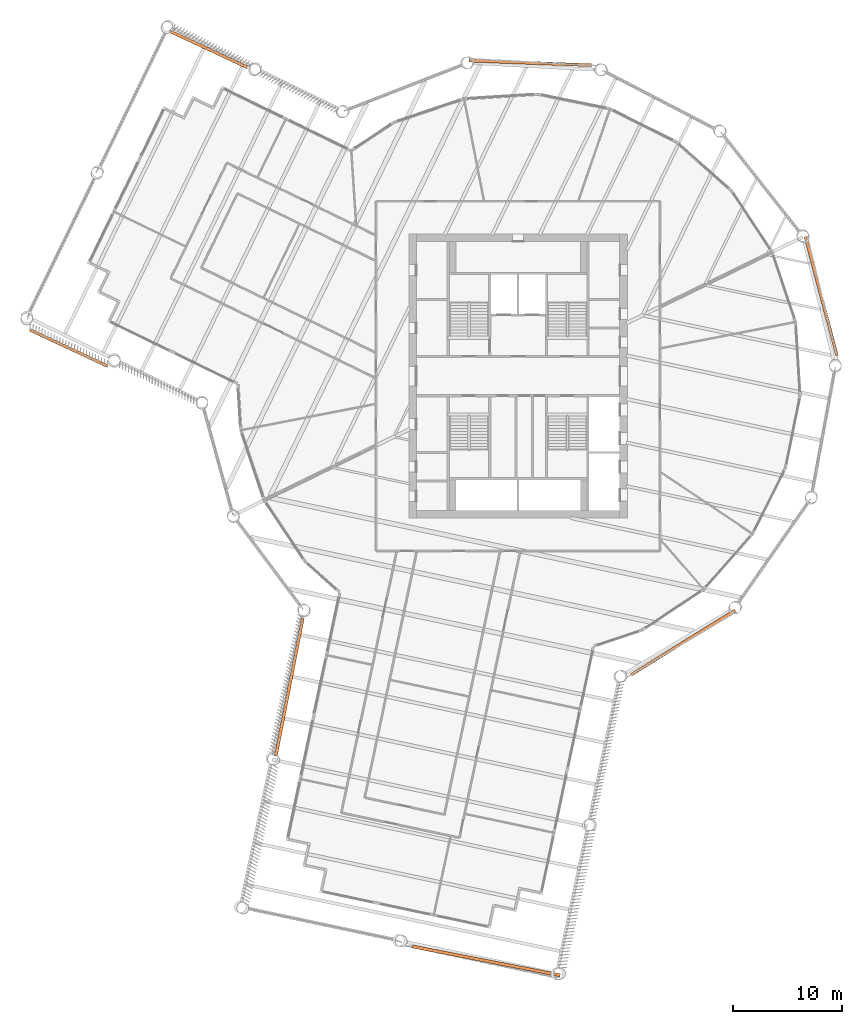
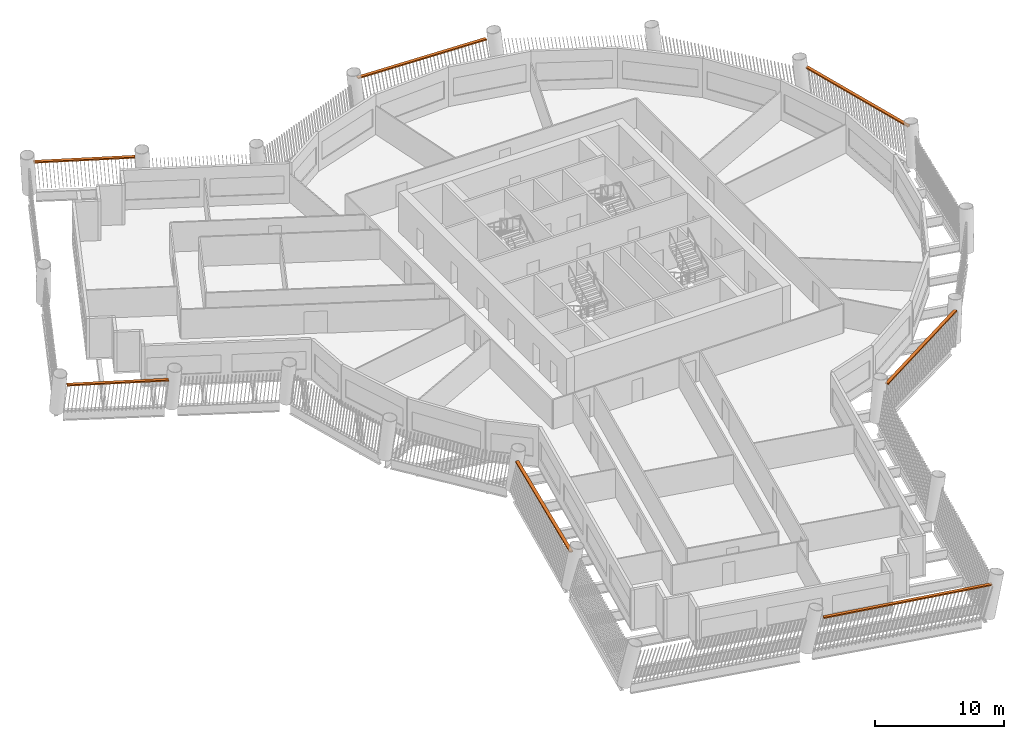
# One storey, part 15 of 15: 7 proxies.
"""IFC4 building model written with IfcOpenShell, lengths in metres."""

from ifc_helpers import new_model, si_unit, direction, frame, origin, origin_2d, place, context, subcontext, project, spatial, rectangle, extrude, material, type_object, element, save


model = new_model("IFC4")

# Units and contexts
model_context = context("Model", 3, precision=1e-05, world=origin(), true_north=direction((0.0, 1.0)))
body_context = subcontext(model_context, "Body", "Model", "MODEL_VIEW")
ifc_project = project(units=[si_unit("LENGTHUNIT", "METRE"), si_unit("AREAUNIT", "SQUARE_METRE"), si_unit("VOLUMEUNIT", "CUBIC_METRE"), si_unit("PLANEANGLEUNIT", "RADIAN"), si_unit("MASSUNIT", "GRAM", prefix="KILO")], contexts=[model_context])

# Site, building, storey
site_placement = place(None, origin())
site = spatial("IfcSite", under=ifc_project, at=site_placement, CompositionType="ELEMENT")
building_placement = place(site_placement, origin())
building = spatial("IfcBuilding", under=site, at=building_placement, Name="Tarsis Ring Headquarters", CompositionType="ELEMENT")
storey_placement = place(building_placement, frame((0.0, 0.0, 174.89990234375)))
storey = spatial("IfcBuildingStorey", under=building, at=storey_placement, Name="L40", CompositionType="ELEMENT", Elevation=174.89990234375)

# Proxies
ifc_material = material(Name="Structural steel S355", Category="steel")
building_element_proxy_type = type_object("IfcBuildingElementProxyType", Name="Screen bracket plate", PredefinedType="USERDEFINED", material=ifc_material)
proxy_1_placement = place(storey_placement, frame((-20.943115234375, -28.45751953125, 2.949951171875), z_axis=(0.0, 0.0, 1.0), x_axis=(-0.19183681389, -0.981426837231, 0.0)))
element("IfcBuildingElementProxy", 1, at=proxy_1_placement, inside=storey, type_object=building_element_proxy_type, Name="Screen bracket L40-01", ObjectType="Bracket", PredefinedType="USERDEFINED", context=body_context, shape_type="SweptSolid", body=[
    extrude(rectangle(XDim=12.90234375, YDim=0.280029296875, at=origin_2d()), origin(), (0.0, 0.0, 1.0), 0.1201171875),
])
proxy_2_placement = place(storey_placement, frame((-2.923095703125, -53.5283203125, 2.949951171875), z_axis=(0.0, 0.0, 1.0), x_axis=(0.981426833882, -0.191836831019, 0.0)))
element("IfcBuildingElementProxy", 2, at=proxy_2_placement, inside=storey, type_object=building_element_proxy_type, Name="Screen bracket L40-04", ObjectType="Bracket", PredefinedType="USERDEFINED", context=body_context, shape_type="SweptSolid", body=[
    extrude(rectangle(XDim=13.800048828125, YDim=0.280029296875, at=origin_2d()), origin(), (0.0, 0.0, 1.0), 0.1201171875),
])
for number, where, z_axis, x_axis, name in (
    (3, (15.09375, -24.3994140625, 2.949951171875), (0.0, 0.0, 1.0), (0.850432319434, 0.526084470462, 0.0), "Screen bracket L40-07"),
    (4, (27.74267578125, 7.313720703125, 2.949951171875), (0.0, 0.0, 1.0), (-0.254918517747, 0.966962537697, 0.0), "Screen bracket L40-10"),
    (5, (1.103271484375, 28.669189453125, 2.949951171875), (0.0, 0.0, 1.0), (-0.999260384345, 0.03845366406, 0.0), "Screen bracket L40-13"),
):
    element("IfcBuildingElementProxy", number, at=place(storey_placement, frame(where, z_axis=z_axis, x_axis=x_axis)), inside=storey, type_object=building_element_proxy_type, Name=name, ObjectType="Bracket", PredefinedType="USERDEFINED", context=body_context, shape_type="SweptSolid", body=[
        extrude(rectangle(XDim=11.248779296875, YDim=0.280029296875, at=origin_2d()), origin(), (0.0, 0.0, 1.0), 0.1201171875),
    ])
for number, where, z_axis, x_axis, name in (
    (6, (-28.34521484375, 29.917236328125, 2.949951171875), (0.0, 0.0, 1.0), (-0.905864703192, 0.423567160567, 0.0), "Screen bracket L40-16"),
    (7, (-41.132568359375, 2.5693359375, 2.949951171875), (0.0, 0.0, 1.0), (0.90586472537, -0.423567113136, 0.0), "Screen bracket L40-19"),
):
    element("IfcBuildingElementProxy", number, at=place(storey_placement, frame(where, z_axis=z_axis, x_axis=x_axis)), inside=storey, type_object=building_element_proxy_type, Name=name, ObjectType="Bracket", PredefinedType="USERDEFINED", context=body_context, shape_type="SweptSolid", body=[
        extrude(rectangle(XDim=7.90234375, YDim=0.280029296875, at=origin_2d()), origin(), (0.0, 0.0, 1.0), 0.1201171875),
    ])

save(model, "model.ifc")
